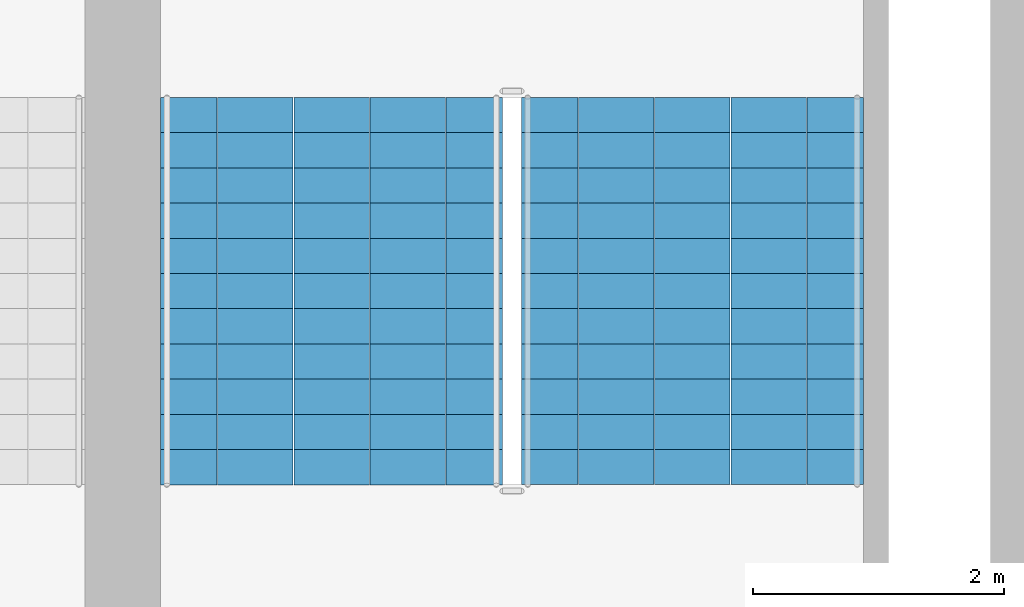
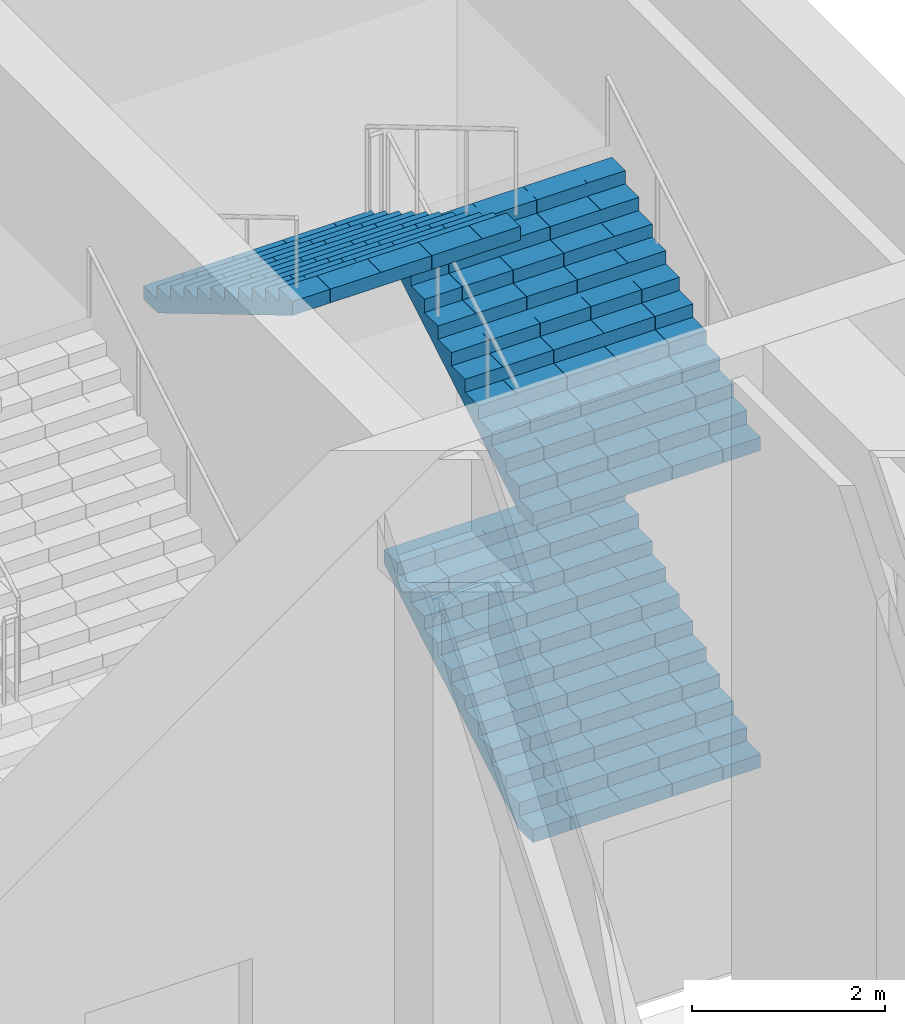
# One storey, part 17 of 20: 3 stair flights, 1 element without a shape of its own.
"""IFC4 building model written with IfcOpenShell, lengths in metres."""

from ifc_helpers import new_model, si_unit, direction, frame, origin, place, context, subcontext, project, spatial, polyline, outline, extrude, material, type_object, element, aggregate, save


model = new_model("IFC4")

# Units and contexts
model_context = context("Model", 3, precision=1e-05, world=origin(), true_north=direction((0.0, 1.0)))
body_context = subcontext(model_context, "Body", "Model", "MODEL_VIEW")
ifc_project = project(units=[si_unit("LENGTHUNIT", "METRE"), si_unit("AREAUNIT", "SQUARE_METRE"), si_unit("VOLUMEUNIT", "CUBIC_METRE"), si_unit("PLANEANGLEUNIT", "RADIAN"), si_unit("MASSUNIT", "GRAM", prefix="KILO")], contexts=[model_context])

# Site, building, storey
site_placement = place(None, origin())
site = spatial("IfcSite", under=ifc_project, at=site_placement, CompositionType="ELEMENT")
building_placement = place(site_placement, origin())
building = spatial("IfcBuilding", under=site, at=building_placement, Name="Corbelhall Arena Tower", CompositionType="ELEMENT")
storey_placement = place(building_placement, frame((0.0, 0.0, 44.0)))
storey = spatial("IfcBuildingStorey", under=building, at=storey_placement, Name="L06", CompositionType="ELEMENT", Elevation=44.0)

# Stair, stair flights
ifc_material = material(Name="Reinforced concrete C40/50", Category="concrete")
stair_type = type_object("IfcStairType", Name="AR-EXIT-STAIR", PredefinedType="HALF_TURN_STAIR", material=ifc_material)
stair_placement = place(storey_placement, origin())
stair = element("IfcStair", 1, at=stair_placement, inside=storey, type_object=stair_type, Name="L06 exit stair AS2", PredefinedType="HALF_TURN_STAIR")
stair_flight_type = type_object("IfcStairFlightType", Name="AR-EXIT-FLIGHT", PredefinedType="STRAIGHT", material=ifc_material)
stair_flight_1_placement = place(storey_placement, frame((45.030029296875, 27.320068359375, 0.0), z_axis=(0.0, 0.0, 1.0), x_axis=(0.0, 1.0, 0.0)))
stair_flight_1 = element("IfcStairFlight", 2, at=stair_flight_1_placement, type_object=stair_flight_type, Name="AS2 flight 1", NumberOfRisers=12, NumberOfTreads=11, PredefinedType="STRAIGHT", RiserHeight=0.166666667, TreadLength=0.28, context=body_context, shape_type="SweptSolid", body=[
    extrude(outline(polyline([(0.0, 0.0), (0.0, 0.166748046875), (0.280029296875, 0.166748046875), (0.280029296875, 0.333251953125), (0.56005859375, 0.333251953125), (0.56005859375, 0.5), (0.840087890625, 0.5), (0.840087890625, 0.666748046875), (1.1201171875, 0.666748046875), (1.1201171875, 0.833251953125), (1.39990234375, 0.833251953125), (1.39990234375, 1.0), (1.679931640625, 1.0), (1.679931640625, 1.166748046875), (1.9599609375, 1.166748046875), (1.9599609375, 1.333251953125), (2.239990234375, 1.333251953125), (2.239990234375, 1.5), (2.52001953125, 1.5), (2.52001953125, 1.666748046875), (2.800048828125, 1.666748046875), (2.800048828125, 1.833251953125), (3.080078125, 1.833251953125), (3.080078125, 2.0), (3.080078125, 1.658935546875), (0.29296875, 0.0), (0.0, 0.0)])), frame((0.0, 1.35986328125, 0.0), z_axis=(0.0, -1.0, 0.0), x_axis=(1.0, 0.0, 0.0)), (0.0, 0.0, 1.0), 0.449951171875),
    extrude(outline(polyline([(0.0, 0.0), (0.0, 0.166748046875), (0.280029296875, 0.166748046875), (0.280029296875, 0.333251953125), (0.56005859375, 0.333251953125), (0.56005859375, 0.5), (0.840087890625, 0.5), (0.840087890625, 0.666748046875), (1.1201171875, 0.666748046875), (1.1201171875, 0.833251953125), (1.39990234375, 0.833251953125), (1.39990234375, 1.0), (1.679931640625, 1.0), (1.679931640625, 1.166748046875), (1.9599609375, 1.166748046875), (1.9599609375, 1.333251953125), (2.239990234375, 1.333251953125), (2.239990234375, 1.5), (2.52001953125, 1.5), (2.52001953125, 1.666748046875), (2.800048828125, 1.666748046875), (2.800048828125, 1.833251953125), (3.080078125, 1.833251953125), (3.080078125, 2.0), (3.080078125, 1.658935546875), (0.29296875, 0.0), (0.0, 0.0)])), frame((0.0, 0.906005859375, 0.0), z_axis=(0.0, -1.0, 0.0), x_axis=(1.0, 0.0, 0.0)), (0.0, 0.0, 1.0), 0.601318359375),
    extrude(outline(polyline([(0.0, 0.0), (0.0, 0.166748046875), (0.280029296875, 0.166748046875), (0.280029296875, 0.333251953125), (0.56005859375, 0.333251953125), (0.56005859375, 0.5), (0.840087890625, 0.5), (0.840087890625, 0.666748046875), (1.1201171875, 0.666748046875), (1.1201171875, 0.833251953125), (1.39990234375, 0.833251953125), (1.39990234375, 1.0), (1.679931640625, 1.0), (1.679931640625, 1.166748046875), (1.9599609375, 1.166748046875), (1.9599609375, 1.333251953125), (2.239990234375, 1.333251953125), (2.239990234375, 1.5), (2.52001953125, 1.5), (2.52001953125, 1.666748046875), (2.800048828125, 1.666748046875), (2.800048828125, 1.833251953125), (3.080078125, 1.833251953125), (3.080078125, 2.0), (3.080078125, 1.658935546875), (0.29296875, 0.0), (0.0, 0.0)])), frame((0.0, 0.30078125, 0.0), z_axis=(0.0, -1.0, 0.0), x_axis=(1.0, 0.0, 0.0)), (0.0, 0.0, 1.0), 0.601318359375),
    extrude(outline(polyline([(0.0, 0.0), (0.0, 0.166748046875), (0.280029296875, 0.166748046875), (0.280029296875, 0.333251953125), (0.56005859375, 0.333251953125), (0.56005859375, 0.5), (0.840087890625, 0.5), (0.840087890625, 0.666748046875), (1.1201171875, 0.666748046875), (1.1201171875, 0.833251953125), (1.39990234375, 0.833251953125), (1.39990234375, 1.0), (1.679931640625, 1.0), (1.679931640625, 1.166748046875), (1.9599609375, 1.166748046875), (1.9599609375, 1.333251953125), (2.239990234375, 1.333251953125), (2.239990234375, 1.5), (2.52001953125, 1.5), (2.52001953125, 1.666748046875), (2.800048828125, 1.666748046875), (2.800048828125, 1.833251953125), (3.080078125, 1.833251953125), (3.080078125, 2.0), (3.080078125, 1.658935546875), (0.29296875, 0.0), (0.0, 0.0)])), frame((0.0, -0.3046875, 0.0), z_axis=(0.0, -1.0, 0.0), x_axis=(1.0, 0.0, 0.0)), (0.0, 0.0, 1.0), 0.601318359375),
    extrude(outline(polyline([(0.0, 0.0), (0.0, 0.166748046875), (0.280029296875, 0.166748046875), (0.280029296875, 0.333251953125), (0.56005859375, 0.333251953125), (0.56005859375, 0.5), (0.840087890625, 0.5), (0.840087890625, 0.666748046875), (1.1201171875, 0.666748046875), (1.1201171875, 0.833251953125), (1.39990234375, 0.833251953125), (1.39990234375, 1.0), (1.679931640625, 1.0), (1.679931640625, 1.166748046875), (1.9599609375, 1.166748046875), (1.9599609375, 1.333251953125), (2.239990234375, 1.333251953125), (2.239990234375, 1.5), (2.52001953125, 1.5), (2.52001953125, 1.666748046875), (2.800048828125, 1.666748046875), (2.800048828125, 1.833251953125), (3.080078125, 1.833251953125), (3.080078125, 2.0), (3.080078125, 1.658935546875), (0.29296875, 0.0), (0.0, 0.0)])), frame((0.0, -0.909912109375, 0.0), z_axis=(0.0, -1.0, 0.0), x_axis=(1.0, 0.0, 0.0)), (0.0, 0.0, 1.0), 0.449951171875),
])
stair_flight_2_placement = place(storey_placement, frame((45.030029296875, 27.320068359375, 4.0), z_axis=(0.0, 0.0, 1.0), x_axis=(0.0, 1.0, 0.0)))
stair_flight_2 = element("IfcStairFlight", 3, at=stair_flight_2_placement, type_object=stair_flight_type, Name="AS2 flight 3", NumberOfRisers=12, NumberOfTreads=11, PredefinedType="STRAIGHT", RiserHeight=0.166666667, TreadLength=0.28, context=body_context, shape_type="SweptSolid", body=[
    extrude(outline(polyline([(0.0, 0.0), (0.0, 0.166748046875), (0.280029296875, 0.166748046875), (0.280029296875, 0.333251953125), (0.56005859375, 0.333251953125), (0.56005859375, 0.5), (0.840087890625, 0.5), (0.840087890625, 0.666748046875), (1.1201171875, 0.666748046875), (1.1201171875, 0.833251953125), (1.39990234375, 0.833251953125), (1.39990234375, 1.0), (1.679931640625, 1.0), (1.679931640625, 1.166748046875), (1.9599609375, 1.166748046875), (1.9599609375, 1.333251953125), (2.239990234375, 1.333251953125), (2.239990234375, 1.5), (2.52001953125, 1.5), (2.52001953125, 1.666748046875), (2.800048828125, 1.666748046875), (2.800048828125, 1.833251953125), (3.080078125, 1.833251953125), (3.080078125, 2.0), (3.080078125, 1.658935546875), (0.29296875, 0.0), (0.0, 0.0)])), frame((0.0, 1.35986328125, 0.0), z_axis=(0.0, -1.0, 0.0), x_axis=(1.0, 0.0, 0.0)), (0.0, 0.0, 1.0), 0.449951171875),
    extrude(outline(polyline([(0.0, 0.0), (0.0, 0.166748046875), (0.280029296875, 0.166748046875), (0.280029296875, 0.333251953125), (0.56005859375, 0.333251953125), (0.56005859375, 0.5), (0.840087890625, 0.5), (0.840087890625, 0.666748046875), (1.1201171875, 0.666748046875), (1.1201171875, 0.833251953125), (1.39990234375, 0.833251953125), (1.39990234375, 1.0), (1.679931640625, 1.0), (1.679931640625, 1.166748046875), (1.9599609375, 1.166748046875), (1.9599609375, 1.333251953125), (2.239990234375, 1.333251953125), (2.239990234375, 1.5), (2.52001953125, 1.5), (2.52001953125, 1.666748046875), (2.800048828125, 1.666748046875), (2.800048828125, 1.833251953125), (3.080078125, 1.833251953125), (3.080078125, 2.0), (3.080078125, 1.658935546875), (0.29296875, 0.0), (0.0, 0.0)])), frame((0.0, 0.906005859375, 0.0), z_axis=(0.0, -1.0, 0.0), x_axis=(1.0, 0.0, 0.0)), (0.0, 0.0, 1.0), 0.601318359375),
    extrude(outline(polyline([(0.0, 0.0), (0.0, 0.166748046875), (0.280029296875, 0.166748046875), (0.280029296875, 0.333251953125), (0.56005859375, 0.333251953125), (0.56005859375, 0.5), (0.840087890625, 0.5), (0.840087890625, 0.666748046875), (1.1201171875, 0.666748046875), (1.1201171875, 0.833251953125), (1.39990234375, 0.833251953125), (1.39990234375, 1.0), (1.679931640625, 1.0), (1.679931640625, 1.166748046875), (1.9599609375, 1.166748046875), (1.9599609375, 1.333251953125), (2.239990234375, 1.333251953125), (2.239990234375, 1.5), (2.52001953125, 1.5), (2.52001953125, 1.666748046875), (2.800048828125, 1.666748046875), (2.800048828125, 1.833251953125), (3.080078125, 1.833251953125), (3.080078125, 2.0), (3.080078125, 1.658935546875), (0.29296875, 0.0), (0.0, 0.0)])), frame((0.0, 0.30078125, 0.0), z_axis=(0.0, -1.0, 0.0), x_axis=(1.0, 0.0, 0.0)), (0.0, 0.0, 1.0), 0.601318359375),
    extrude(outline(polyline([(0.0, 0.0), (0.0, 0.166748046875), (0.280029296875, 0.166748046875), (0.280029296875, 0.333251953125), (0.56005859375, 0.333251953125), (0.56005859375, 0.5), (0.840087890625, 0.5), (0.840087890625, 0.666748046875), (1.1201171875, 0.666748046875), (1.1201171875, 0.833251953125), (1.39990234375, 0.833251953125), (1.39990234375, 1.0), (1.679931640625, 1.0), (1.679931640625, 1.166748046875), (1.9599609375, 1.166748046875), (1.9599609375, 1.333251953125), (2.239990234375, 1.333251953125), (2.239990234375, 1.5), (2.52001953125, 1.5), (2.52001953125, 1.666748046875), (2.800048828125, 1.666748046875), (2.800048828125, 1.833251953125), (3.080078125, 1.833251953125), (3.080078125, 2.0), (3.080078125, 1.658935546875), (0.29296875, 0.0), (0.0, 0.0)])), frame((0.0, -0.3046875, 0.0), z_axis=(0.0, -1.0, 0.0), x_axis=(1.0, 0.0, 0.0)), (0.0, 0.0, 1.0), 0.601318359375),
    extrude(outline(polyline([(0.0, 0.0), (0.0, 0.166748046875), (0.280029296875, 0.166748046875), (0.280029296875, 0.333251953125), (0.56005859375, 0.333251953125), (0.56005859375, 0.5), (0.840087890625, 0.5), (0.840087890625, 0.666748046875), (1.1201171875, 0.666748046875), (1.1201171875, 0.833251953125), (1.39990234375, 0.833251953125), (1.39990234375, 1.0), (1.679931640625, 1.0), (1.679931640625, 1.166748046875), (1.9599609375, 1.166748046875), (1.9599609375, 1.333251953125), (2.239990234375, 1.333251953125), (2.239990234375, 1.5), (2.52001953125, 1.5), (2.52001953125, 1.666748046875), (2.800048828125, 1.666748046875), (2.800048828125, 1.833251953125), (3.080078125, 1.833251953125), (3.080078125, 2.0), (3.080078125, 1.658935546875), (0.29296875, 0.0), (0.0, 0.0)])), frame((0.0, -0.909912109375, 0.0), z_axis=(0.0, -1.0, 0.0), x_axis=(1.0, 0.0, 0.0)), (0.0, 0.0, 1.0), 0.449951171875),
])
stair_flight_3_placement = place(storey_placement, frame((42.159912109375, 30.39990234375, 6.0), z_axis=(0.0, 0.0, 1.0), x_axis=(0.0, -1.0, 0.0)))
stair_flight_3 = element("IfcStairFlight", 4, at=stair_flight_3_placement, type_object=stair_flight_type, Name="AS2 flight 4", NumberOfRisers=12, NumberOfTreads=11, PredefinedType="STRAIGHT", RiserHeight=0.166666667, TreadLength=0.28, context=body_context, shape_type="SweptSolid", body=[
    extrude(outline(polyline([(0.0, 0.0), (0.0, 0.166748046875), (0.280029296875, 0.166748046875), (0.280029296875, 0.333251953125), (0.56005859375, 0.333251953125), (0.56005859375, 0.5), (0.840087890625, 0.5), (0.840087890625, 0.666748046875), (1.1201171875, 0.666748046875), (1.1201171875, 0.833251953125), (1.39990234375, 0.833251953125), (1.39990234375, 1.0), (1.679931640625, 1.0), (1.679931640625, 1.166748046875), (1.9599609375, 1.166748046875), (1.9599609375, 1.333251953125), (2.239990234375, 1.333251953125), (2.239990234375, 1.5), (2.52001953125, 1.5), (2.52001953125, 1.666748046875), (2.800048828125, 1.666748046875), (2.800048828125, 1.833251953125), (3.080078125, 1.833251953125), (3.080078125, 2.0), (3.080078125, 1.658935546875), (0.29296875, 0.0), (0.0, 0.0)])), frame((0.0, 1.35986328125, 0.0), z_axis=(0.0, -1.0, 0.0), x_axis=(1.0, 0.0, 0.0)), (0.0, 0.0, 1.0), 0.449951171875),
    extrude(outline(polyline([(0.0, 0.0), (0.0, 0.166748046875), (0.280029296875, 0.166748046875), (0.280029296875, 0.333251953125), (0.56005859375, 0.333251953125), (0.56005859375, 0.5), (0.840087890625, 0.5), (0.840087890625, 0.666748046875), (1.1201171875, 0.666748046875), (1.1201171875, 0.833251953125), (1.39990234375, 0.833251953125), (1.39990234375, 1.0), (1.679931640625, 1.0), (1.679931640625, 1.166748046875), (1.9599609375, 1.166748046875), (1.9599609375, 1.333251953125), (2.239990234375, 1.333251953125), (2.239990234375, 1.5), (2.52001953125, 1.5), (2.52001953125, 1.666748046875), (2.800048828125, 1.666748046875), (2.800048828125, 1.833251953125), (3.080078125, 1.833251953125), (3.080078125, 2.0), (3.080078125, 1.658935546875), (0.29296875, 0.0), (0.0, 0.0)])), frame((0.0, 0.906005859375, 0.0), z_axis=(0.0, -1.0, 0.0), x_axis=(1.0, 0.0, 0.0)), (0.0, 0.0, 1.0), 0.601318359375),
    extrude(outline(polyline([(0.0, 0.0), (0.0, 0.166748046875), (0.280029296875, 0.166748046875), (0.280029296875, 0.333251953125), (0.56005859375, 0.333251953125), (0.56005859375, 0.5), (0.840087890625, 0.5), (0.840087890625, 0.666748046875), (1.1201171875, 0.666748046875), (1.1201171875, 0.833251953125), (1.39990234375, 0.833251953125), (1.39990234375, 1.0), (1.679931640625, 1.0), (1.679931640625, 1.166748046875), (1.9599609375, 1.166748046875), (1.9599609375, 1.333251953125), (2.239990234375, 1.333251953125), (2.239990234375, 1.5), (2.52001953125, 1.5), (2.52001953125, 1.666748046875), (2.800048828125, 1.666748046875), (2.800048828125, 1.833251953125), (3.080078125, 1.833251953125), (3.080078125, 2.0), (3.080078125, 1.658935546875), (0.29296875, 0.0), (0.0, 0.0)])), frame((0.0, 0.30078125, 0.0), z_axis=(0.0, -1.0, 0.0), x_axis=(1.0, 0.0, 0.0)), (0.0, 0.0, 1.0), 0.601318359375),
    extrude(outline(polyline([(0.0, 0.0), (0.0, 0.166748046875), (0.280029296875, 0.166748046875), (0.280029296875, 0.333251953125), (0.56005859375, 0.333251953125), (0.56005859375, 0.5), (0.840087890625, 0.5), (0.840087890625, 0.666748046875), (1.1201171875, 0.666748046875), (1.1201171875, 0.833251953125), (1.39990234375, 0.833251953125), (1.39990234375, 1.0), (1.679931640625, 1.0), (1.679931640625, 1.166748046875), (1.9599609375, 1.166748046875), (1.9599609375, 1.333251953125), (2.239990234375, 1.333251953125), (2.239990234375, 1.5), (2.52001953125, 1.5), (2.52001953125, 1.666748046875), (2.800048828125, 1.666748046875), (2.800048828125, 1.833251953125), (3.080078125, 1.833251953125), (3.080078125, 2.0), (3.080078125, 1.658935546875), (0.29296875, 0.0), (0.0, 0.0)])), frame((0.0, -0.3046875, 0.0), z_axis=(0.0, -1.0, 0.0), x_axis=(1.0, 0.0, 0.0)), (0.0, 0.0, 1.0), 0.601318359375),
    extrude(outline(polyline([(0.0, 0.0), (0.0, 0.166748046875), (0.280029296875, 0.166748046875), (0.280029296875, 0.333251953125), (0.56005859375, 0.333251953125), (0.56005859375, 0.5), (0.840087890625, 0.5), (0.840087890625, 0.666748046875), (1.1201171875, 0.666748046875), (1.1201171875, 0.833251953125), (1.39990234375, 0.833251953125), (1.39990234375, 1.0), (1.679931640625, 1.0), (1.679931640625, 1.166748046875), (1.9599609375, 1.166748046875), (1.9599609375, 1.333251953125), (2.239990234375, 1.333251953125), (2.239990234375, 1.5), (2.52001953125, 1.5), (2.52001953125, 1.666748046875), (2.800048828125, 1.666748046875), (2.800048828125, 1.833251953125), (3.080078125, 1.833251953125), (3.080078125, 2.0), (3.080078125, 1.658935546875), (0.29296875, 0.0), (0.0, 0.0)])), frame((0.0, -0.909912109375, 0.0), z_axis=(0.0, -1.0, 0.0), x_axis=(1.0, 0.0, 0.0)), (0.0, 0.0, 1.0), 0.449951171875),
])
aggregate(stair, [stair_flight_1, stair_flight_2, stair_flight_3])

save(model, "model.ifc")
